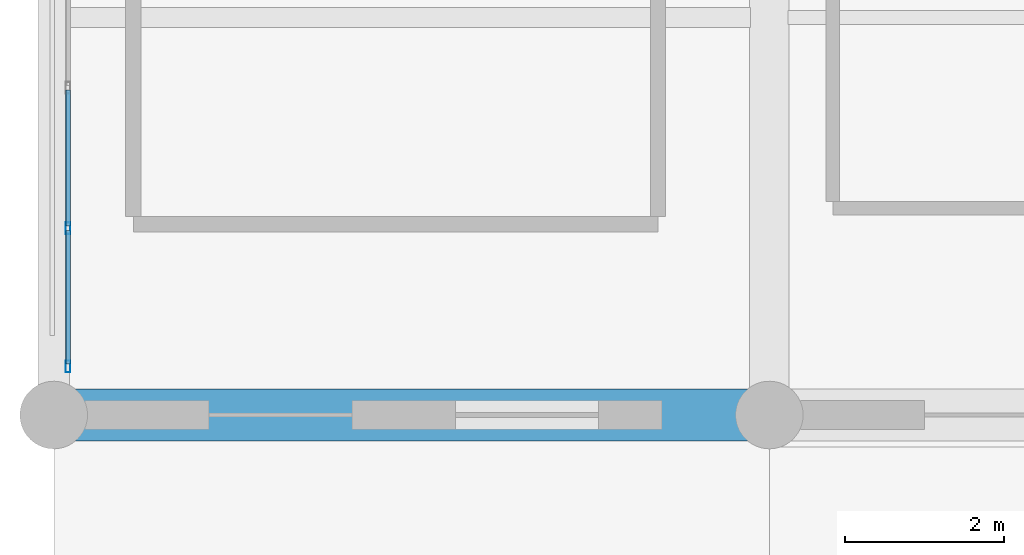
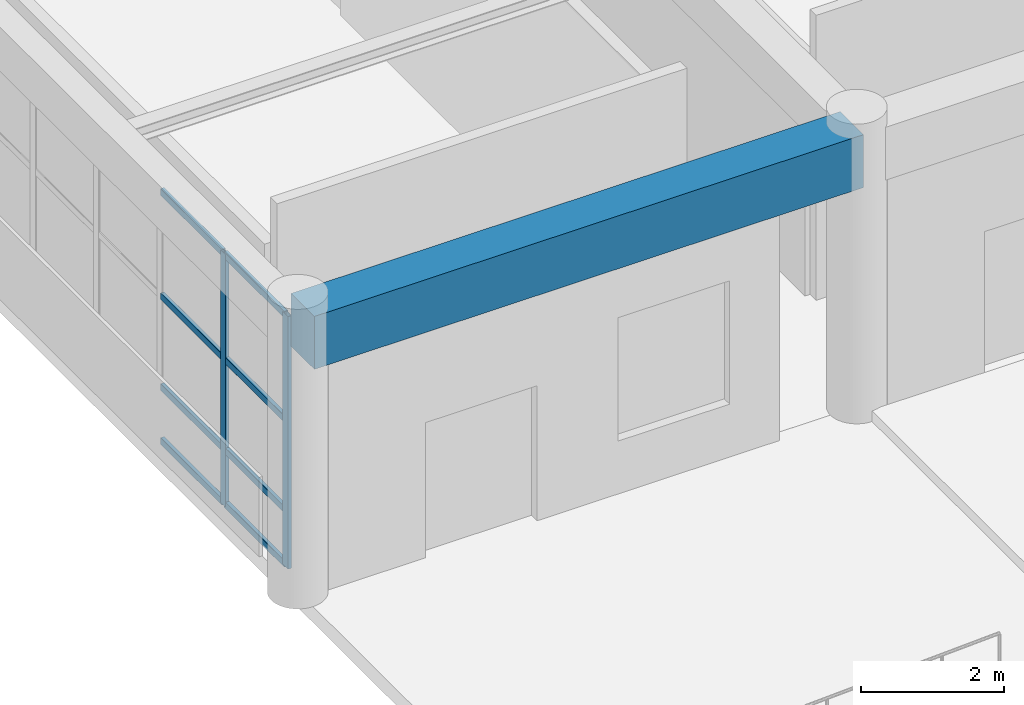
# One storey, part 49 of 128: 10 members, 1 beam, 1 element without a shape of its own.
"""IFC4 building model written with IfcOpenShell, lengths in metres."""

from ifc_helpers import new_model, si_unit, direction, frame, origin, origin_2d, place, context, subcontext, project, spatial, rectangle, hollow_rectangle, extrude, material, material_profile, profile_set, type_object, element, aggregate, save


model = new_model("IFC4")

# Units and contexts
model_context = context("Model", 3, precision=1e-05, world=origin(), true_north=direction((0.0, 1.0)))
body_context = subcontext(model_context, "Body", "Model", "MODEL_VIEW")
ifc_project = project(units=[si_unit("LENGTHUNIT", "METRE"), si_unit("AREAUNIT", "SQUARE_METRE"), si_unit("VOLUMEUNIT", "CUBIC_METRE"), si_unit("PLANEANGLEUNIT", "RADIAN"), si_unit("MASSUNIT", "GRAM", prefix="KILO")], contexts=[model_context])

# Site, building, storey
site_placement = place(None, origin())
site = spatial("IfcSite", under=ifc_project, at=site_placement, CompositionType="ELEMENT")
building_placement = place(site_placement, origin())
building = spatial("IfcBuilding", under=site, at=building_placement, Name="Miravela Opera House", CompositionType="ELEMENT")
storey_placement = place(building_placement, origin())
storey = spatial("IfcBuildingStorey", under=building, at=storey_placement, Name="L00", CompositionType="ELEMENT", Elevation=0.0)

# Curtain wall, members
ifc_material_1 = material(Name="Anodised architectural bronze aluminium 6063-T6", Category="aluminium")
curtain_wall_type = type_object("IfcCurtainWallType", Name="ARC-CW-07", PredefinedType="NOTDEFINED", material=ifc_material_1)
curtain_wall_placement = place(storey_placement, origin())
curtain_wall = element("IfcCurtainWall", 1, at=curtain_wall_placement, inside=storey, type_object=curtain_wall_type, Name="Courtyard Arcade Curtain Wall CW-L00-195", PredefinedType="NOTDEFINED")
ifc_material_profile_1 = material_profile(ifc_material_1, hollow_rectangle(XDim=0.06005859375, YDim=0.14990234375, WallThickness=0.00390625, InnerFilletRadius=0.001953125, OuterFilletRadius=0.00390625, at=origin_2d()), Name="CWM-60X150")
ifc_profile_set_1 = profile_set([ifc_material_profile_1])
member_type_1 = type_object("IfcMemberType", Name="ARC-CWM-150", PredefinedType="MULLION", material=ifc_profile_set_1)
member_1_placement = place(storey_placement, frame((0.179931640625, 84.610107421875, 0.0), z_axis=(0.0, 0.0, 1.0), x_axis=(-1.0, 0.0, 0.0)))
member_1 = element("IfcMember", 2, at=member_1_placement, type_object=member_type_1, Name="CW-07 mullion 1", PredefinedType="MULLION", context=body_context, shape_type="SweptSolid", body=[
    extrude(hollow_rectangle(XDim=0.06005859375, YDim=0.14990234375, WallThickness=0.00390625, InnerFilletRadius=0.001953125, OuterFilletRadius=0.00390625, at=origin_2d()), origin(), (0.0, 0.0, 1.0), 4.300048828125),
])
member_2_placement = place(storey_placement, frame((0.179931640625, 86.347900390625, 0.0), z_axis=(0.0, 0.0, 1.0), x_axis=(-1.0, 0.0, 0.0)))
member_2 = element("IfcMember", 3, at=member_2_placement, type_object=member_type_1, Name="CW-07 mullion 2", PredefinedType="MULLION", context=body_context, shape_type="SweptSolid", body=[
    extrude(hollow_rectangle(XDim=0.06005859375, YDim=0.14990234375, WallThickness=0.00390625, InnerFilletRadius=0.001953125, OuterFilletRadius=0.00390625, at=origin_2d()), origin(), (0.0, 0.0, 1.0), 4.300048828125),
])
ifc_material_profile_2 = material_profile(ifc_material_1, hollow_rectangle(XDim=0.06005859375, YDim=0.114990234375, WallThickness=0.00390625, InnerFilletRadius=0.001953125, OuterFilletRadius=0.00390625, at=origin_2d()), Name="CWT-60X115")
ifc_profile_set_2 = profile_set([ifc_material_profile_2])
member_type_2 = type_object("IfcMemberType", Name="ARC-CWT-115", PredefinedType="USERDEFINED", material=ifc_profile_set_2)
member_3_placement = place(storey_placement, frame((0.179931640625, 84.639892578125, 0.030029296875), z_axis=(0.0, 1.0, 0.0), x_axis=(-1.0, 0.0, 0.0)))
member_3 = element("IfcMember", 4, at=member_3_placement, type_object=member_type_2, Name="CW-07 transom 1.1", ObjectType="TRANSOM", PredefinedType="USERDEFINED", context=body_context, shape_type="SweptSolid", body=[
    extrude(hollow_rectangle(XDim=0.06005859375, YDim=0.114990234375, WallThickness=0.00390625, InnerFilletRadius=0.001953125, OuterFilletRadius=0.00390625, at=origin_2d()), origin(), (0.0, 0.0, 1.0), 1.67822265625),
])
member_4_placement = place(storey_placement, frame((0.179931640625, 84.639892578125, 0.949951171875), z_axis=(0.0, 1.0, 0.0), x_axis=(-1.0, 0.0, 0.0)))
member_4 = element("IfcMember", 5, at=member_4_placement, type_object=member_type_2, Name="CW-07 transom 1.2", ObjectType="TRANSOM", PredefinedType="USERDEFINED", context=body_context, shape_type="SweptSolid", body=[
    extrude(hollow_rectangle(XDim=0.06005859375, YDim=0.114990234375, WallThickness=0.00390625, InnerFilletRadius=0.001953125, OuterFilletRadius=0.00390625, at=origin_2d()), origin(), (0.0, 0.0, 1.0), 1.67822265625),
])
member_5_placement = place(storey_placement, frame((0.179931640625, 84.639892578125, 2.493896484375), z_axis=(0.0, 1.0, 0.0), x_axis=(-1.0, 0.0, 0.0)))
member_5 = element("IfcMember", 6, at=member_5_placement, type_object=member_type_2, Name="CW-07 transom 1.3", ObjectType="TRANSOM", PredefinedType="USERDEFINED", context=body_context, shape_type="SweptSolid", body=[
    extrude(hollow_rectangle(XDim=0.06005859375, YDim=0.114990234375, WallThickness=0.00390625, InnerFilletRadius=0.001953125, OuterFilletRadius=0.00390625, at=origin_2d()), origin(), (0.0, 0.0, 1.0), 1.67822265625),
])
member_6_placement = place(storey_placement, frame((0.179931640625, 84.639892578125, 4.27001953125), z_axis=(0.0, 1.0, 0.0), x_axis=(-1.0, 0.0, 0.0)))
member_6 = element("IfcMember", 7, at=member_6_placement, type_object=member_type_2, Name="CW-07 transom 1.4", ObjectType="TRANSOM", PredefinedType="USERDEFINED", context=body_context, shape_type="SweptSolid", body=[
    extrude(hollow_rectangle(XDim=0.06005859375, YDim=0.114990234375, WallThickness=0.00390625, InnerFilletRadius=0.001953125, OuterFilletRadius=0.00390625, at=origin_2d()), origin(), (0.0, 0.0, 1.0), 1.67822265625),
])
member_7_placement = place(storey_placement, frame((0.179931640625, 86.3779296875, 0.030029296875), z_axis=(0.0, 1.0, 0.0), x_axis=(-1.0, 0.0, 0.0)))
member_7 = element("IfcMember", 8, at=member_7_placement, type_object=member_type_2, Name="CW-07 transom 2.1", ObjectType="TRANSOM", PredefinedType="USERDEFINED", context=body_context, shape_type="SweptSolid", body=[
    extrude(hollow_rectangle(XDim=0.06005859375, YDim=0.114990234375, WallThickness=0.00390625, InnerFilletRadius=0.001953125, OuterFilletRadius=0.00390625, at=origin_2d()), origin(), (0.0, 0.0, 1.0), 1.7080078125),
])
member_8_placement = place(storey_placement, frame((0.179931640625, 86.3779296875, 0.949951171875), z_axis=(0.0, 1.0, 0.0), x_axis=(-1.0, 0.0, 0.0)))
member_8 = element("IfcMember", 9, at=member_8_placement, type_object=member_type_2, Name="CW-07 transom 2.2", ObjectType="TRANSOM", PredefinedType="USERDEFINED", context=body_context, shape_type="SweptSolid", body=[
    extrude(hollow_rectangle(XDim=0.06005859375, YDim=0.114990234375, WallThickness=0.00390625, InnerFilletRadius=0.001953125, OuterFilletRadius=0.00390625, at=origin_2d()), origin(), (0.0, 0.0, 1.0), 1.7080078125),
])
member_9_placement = place(storey_placement, frame((0.179931640625, 86.3779296875, 2.493896484375), z_axis=(0.0, 1.0, 0.0), x_axis=(-1.0, 0.0, 0.0)))
member_9 = element("IfcMember", 10, at=member_9_placement, type_object=member_type_2, Name="CW-07 transom 2.3", ObjectType="TRANSOM", PredefinedType="USERDEFINED", context=body_context, shape_type="SweptSolid", body=[
    extrude(hollow_rectangle(XDim=0.06005859375, YDim=0.114990234375, WallThickness=0.00390625, InnerFilletRadius=0.001953125, OuterFilletRadius=0.00390625, at=origin_2d()), origin(), (0.0, 0.0, 1.0), 1.7080078125),
])
member_10_placement = place(storey_placement, frame((0.179931640625, 86.3779296875, 4.27001953125), z_axis=(0.0, 1.0, 0.0), x_axis=(-1.0, 0.0, 0.0)))
member_10 = element("IfcMember", 11, at=member_10_placement, type_object=member_type_2, Name="CW-07 transom 2.4", ObjectType="TRANSOM", PredefinedType="USERDEFINED", context=body_context, shape_type="SweptSolid", body=[
    extrude(hollow_rectangle(XDim=0.06005859375, YDim=0.114990234375, WallThickness=0.00390625, InnerFilletRadius=0.001953125, OuterFilletRadius=0.00390625, at=origin_2d()), origin(), (0.0, 0.0, 1.0), 1.7080078125),
])
aggregate(curtain_wall, [member_1, member_2, member_3, member_4, member_5, member_6, member_7, member_8, member_9, member_10])

# Beam
ifc_material_2 = material(Name="Concrete C40/50", Category="concrete")
ifc_material_profile_3 = material_profile(ifc_material_2, rectangle(XDim=0.64990234375, YDim=0.89990234375, at=origin_2d()), Name="RC-BM-650X900")
ifc_profile_set_3 = profile_set([ifc_material_profile_3])
beam_type = type_object("IfcBeamType", Name="STR-BM-RC650X900", PredefinedType="BEAM", material=ifc_profile_set_3)
beam_placement = place(storey_placement, frame((0.080078125, 84.0, 4.39990234375), z_axis=(1.0, 0.0, 0.0), x_axis=(0.0, 1.0, 0.0)))
element("IfcBeam", 12, at=beam_placement, inside=storey, type_object=beam_type, Name="Floor Girder L00 1-2/J", PredefinedType="BEAM", context=body_context, shape_type="SweptSolid", body=[
    extrude(rectangle(XDim=0.64990234375, YDim=0.89990234375, at=origin_2d()), origin(), (0.0, 0.0, 1.0), 8.83984375),
])

save(model, "model.ifc")
